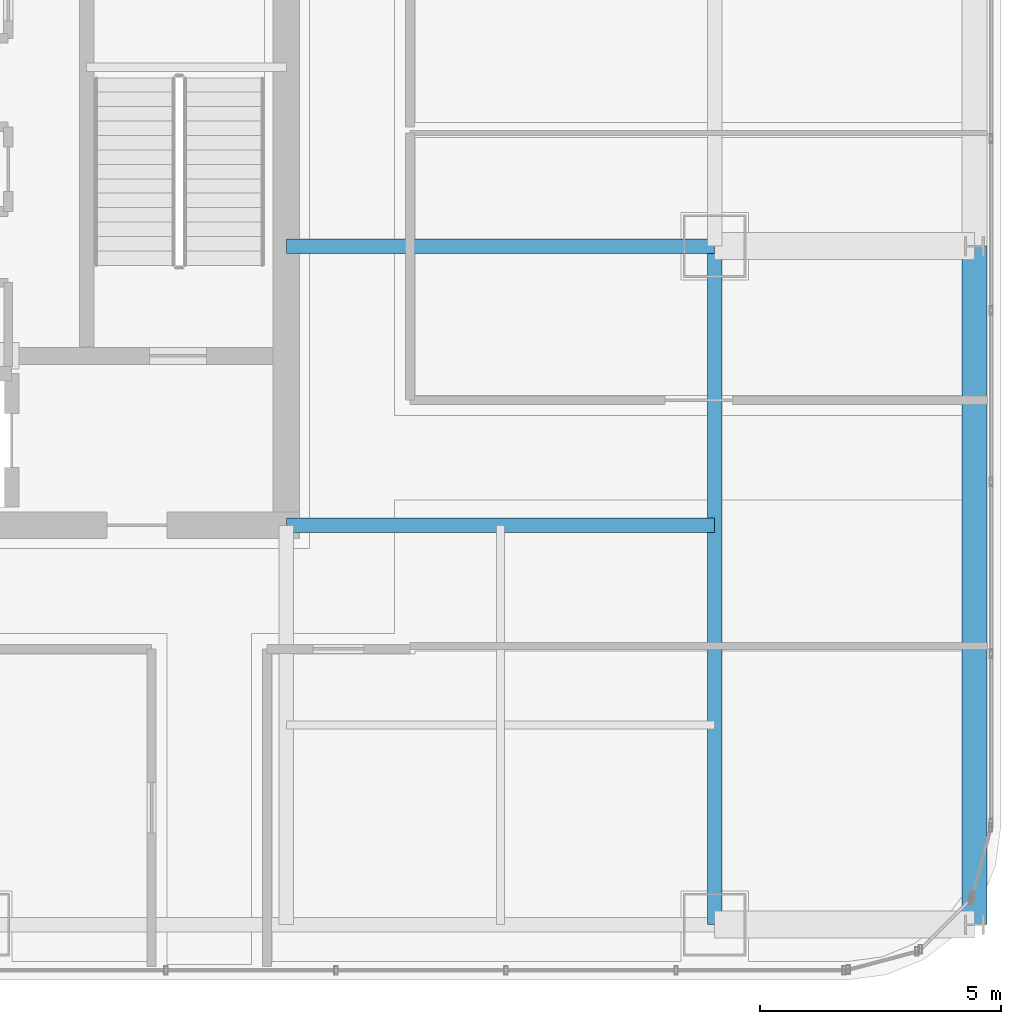
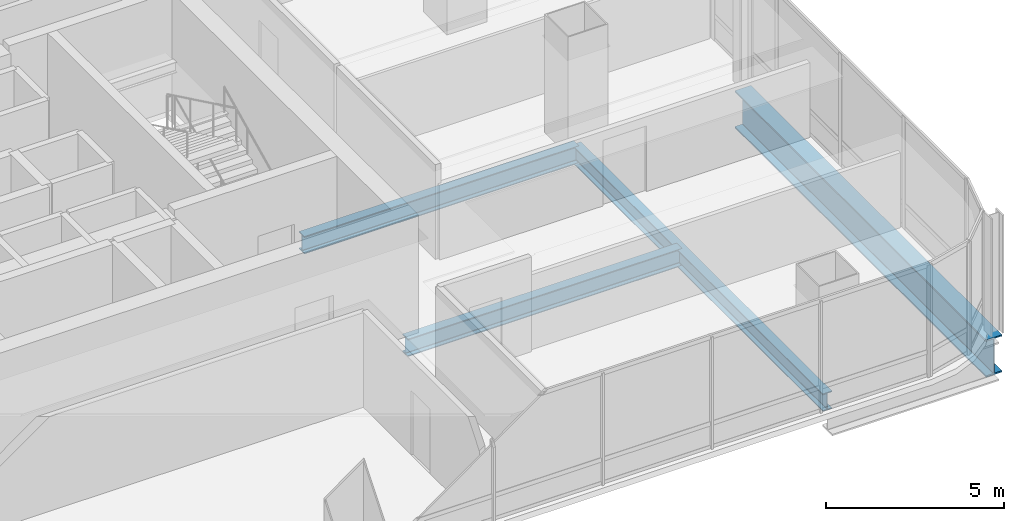
# One storey, part 16 of 42: 4 beams.
"""IFC4 building model written with IfcOpenShell, lengths in metres."""

from ifc_helpers import new_model, si_unit, direction, frame, origin, origin_2d, place, context, subcontext, project, spatial, i_section, extrude, material, material_profile, profile_set, type_object, element, save


model = new_model("IFC4")

# Units and contexts
model_context = context("Model", 3, precision=1e-05, world=origin(), true_north=direction((0.0, 1.0)))
body_context = subcontext(model_context, "Body", "Model", "MODEL_VIEW")
ifc_project = project(units=[si_unit("LENGTHUNIT", "METRE"), si_unit("AREAUNIT", "SQUARE_METRE"), si_unit("VOLUMEUNIT", "CUBIC_METRE"), si_unit("PLANEANGLEUNIT", "RADIAN"), si_unit("MASSUNIT", "GRAM", prefix="KILO")], contexts=[model_context])

# Site, building, storey
site_placement = place(None, origin())
site = spatial("IfcSite", under=ifc_project, at=site_placement, CompositionType="ELEMENT")
building_placement = place(site_placement, origin())
building = spatial("IfcBuilding", under=site, at=building_placement, Name="Punatoya Terracotta Tower", CompositionType="ELEMENT")
storey_placement = place(building_placement, frame((0.0, 0.0, 263.550048828125)))
storey = spatial("IfcBuildingStorey", under=building, at=storey_placement, Name="L62", CompositionType="ELEMENT", Elevation=263.550048828125)

# Beams
ifc_material_1 = material(Name="Steel S355", Category="steel")
ifc_material_profile_1 = material_profile(ifc_material_1, i_section(OverallWidth=0.300048828125, OverallDepth=0.60009765625, WebThickness=0.015380859375, FlangeThickness=0.030029296875, FilletRadius=0.01806640625, at=origin_2d()))
ifc_profile_set_1 = profile_set([ifc_material_profile_1], Name="Steel S355")
beam_type_1 = type_object("IfcBeamType", Name="BM-PRI-600", PredefinedType="BEAM", material=ifc_profile_set_1)
beam_1_placement = place(storey_placement, frame((19.10009765625, -17.5, -0.5), z_axis=(0.0, 1.0, 0.0), x_axis=(-1.0, 0.0, 0.0)))
element("IfcBeam", 1, at=beam_1_placement, inside=storey, type_object=beam_type_1, Name="BM-L62-RG-E1", PredefinedType="BEAM", context=body_context, shape_type="SweptSolid", body=[
    extrude(i_section(OverallWidth=0.300048828125, OverallDepth=0.60009765625, WebThickness=0.015380859375, FlangeThickness=0.030029296875, FilletRadius=0.01806640625, at=origin_2d()), origin(), (0.0, 0.0, 1.0), 14.10009765625),
])
for number, where, z_axis, x_axis, name in (
    (2, (10.199951171875, -9.199951171875, -0.5), (1.0, 0.0, 0.0), (0.0, 1.0, 0.0), "BM-L62-PR-ES"),
    (3, (10.199951171875, -3.39990234375, -0.5), (1.0, 0.0, 0.0), (0.0, 1.0, 0.0), "BM-L62-PR-ED"),
):
    element("IfcBeam", number, at=place(storey_placement, frame(where, z_axis=z_axis, x_axis=x_axis)), inside=storey, type_object=beam_type_1, Name=name, PredefinedType="BEAM", context=body_context, shape_type="SweptSolid", body=[
        extrude(i_section(OverallWidth=0.300048828125, OverallDepth=0.60009765625, WebThickness=0.015380859375, FlangeThickness=0.030029296875, FilletRadius=0.01806640625, at=origin_2d()), origin(), (0.0, 0.0, 1.0), 8.900146484375),
    ])
ifc_material_2 = material(Name="Steel S460", Category="steel")
ifc_material_profile_2 = material_profile(ifc_material_2, i_section(OverallWidth=0.52001953125, OverallDepth=1.280029296875, WebThickness=0.031982421875, FlangeThickness=0.050048828125, FilletRadius=0.01806640625, at=origin_2d()))
ifc_profile_set_2 = profile_set([ifc_material_profile_2], Name="Steel S460")
beam_type_2 = type_object("IfcBeamType", Name="BM-TG-NCK", PredefinedType="BEAM", material=ifc_profile_set_2)
beam_2_placement = place(storey_placement, frame((24.5, -17.5, -0.840087890625), z_axis=(0.0, 1.0, 0.0), x_axis=(-1.0, 0.0, 0.0)))
element("IfcBeam", 4, at=beam_2_placement, inside=storey, type_object=beam_type_2, Name="BM-L62-PER-E1", PredefinedType="BEAM", context=body_context, shape_type="SweptSolid", body=[
    extrude(i_section(OverallWidth=0.52001953125, OverallDepth=1.280029296875, WebThickness=0.031982421875, FlangeThickness=0.050048828125, FilletRadius=0.01806640625, at=origin_2d()), origin(), (0.0, 0.0, 1.0), 14.10009765625),
])

save(model, "model.ifc")
